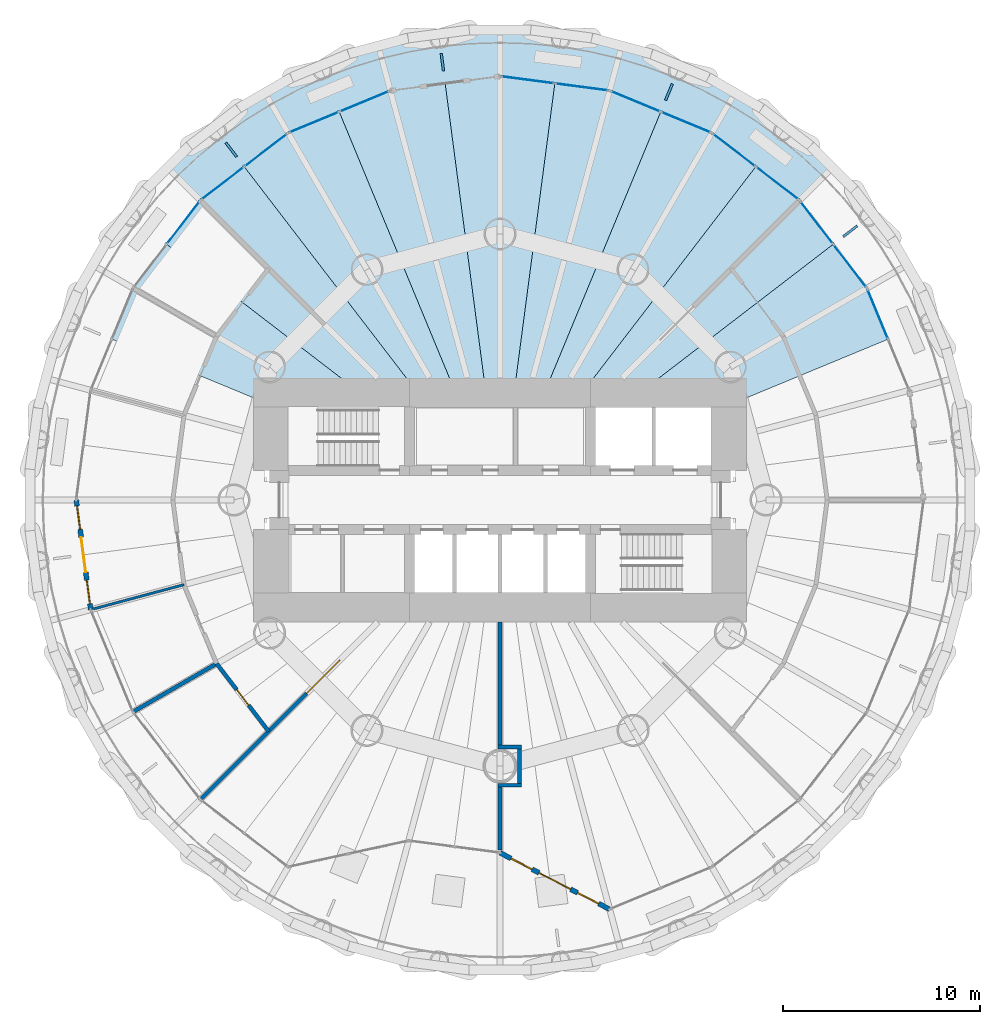
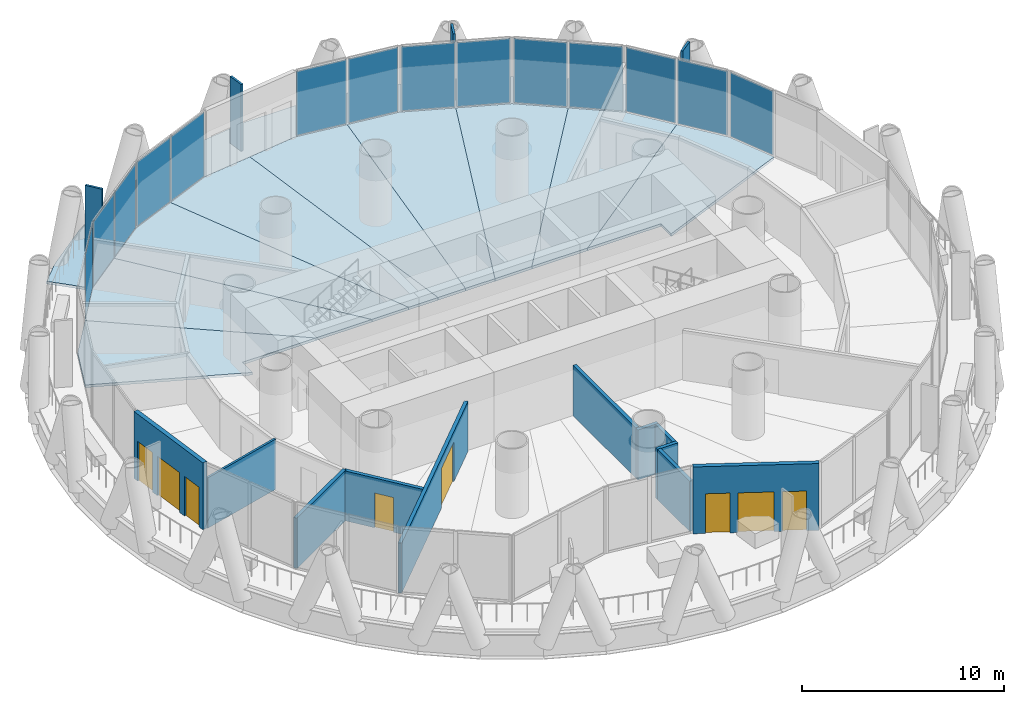
# One storey, part 9 of 15: 18 plates, 11 walls, 10 slabs, 4 doors, 4 windows, 8 openings, 8 elements without a shape of their own.
"""IFC4 building model written with IfcOpenShell, lengths in metres."""

from ifc_helpers import new_model, si_unit, direction, frame, frame_2d, origin, origin_2d, place, context, subcontext, project, spatial, polyline, rectangle, outline, extrude, material, layer, layer_set, type_object, element, fill, aggregate, save


model = new_model("IFC4")

# Units and contexts
model_context = context("Model", 3, precision=1e-05, world=origin(), true_north=direction((0.0, 1.0)))
body_context = subcontext(model_context, "Body", "Model", "MODEL_VIEW")
ifc_project = project(units=[si_unit("LENGTHUNIT", "METRE"), si_unit("AREAUNIT", "SQUARE_METRE"), si_unit("VOLUMEUNIT", "CUBIC_METRE"), si_unit("PLANEANGLEUNIT", "RADIAN"), si_unit("MASSUNIT", "GRAM", prefix="KILO")], contexts=[model_context])

# Site, building, storey
site_placement = place(None, origin())
site = spatial("IfcSite", under=ifc_project, at=site_placement, CompositionType="ELEMENT")
building_placement = place(site_placement, origin())
building = spatial("IfcBuilding", under=site, at=building_placement, Name="Qaws Media Tower", CompositionType="ELEMENT")
storey_placement = place(building_placement, frame((0.0, 0.0, 198.199951171875)))
storey = spatial("IfcBuildingStorey", under=building, at=storey_placement, Name="L45", CompositionType="ELEMENT", Elevation=198.199951171875)

# Slabs
ifc_material_1 = material(Name="Concrete C35/45", Category="concrete")
ifc_layer_1 = layer(ifc_material_1, 0.159912109375)
ifc_layer_set_1 = layer_set([ifc_layer_1], Name="Composite balcony slab 160")
slab_type_1 = type_object("IfcSlabType", Name="Composite balcony slab 160", PredefinedType="FLOOR", material=ifc_layer_set_1)
slab_1_placement = place(storey_placement, frame((0.0, 0.0, -0.159912109375)))
element("IfcSlab", 1, at=slab_1_placement, inside=storey, type_object=slab_type_1, Name="S2 balcony slab L45 R04 to R10, movement joints on R04 and R10", PredefinedType="FLOOR", context=body_context, shape_type="SweptSolid", body=[
    extrude(outline(polyline([(44.24169921875, 67.968994140625), (46.721923828125, 69.8720703125), (49.42919921875, 71.435302734375), (52.317626953125, 72.631591796875), (55.33740234375, 73.44091796875), (58.43701171875, 73.848876953125), (61.56298828125, 73.848876953125), (64.66259765625, 73.44091796875), (67.682373046875, 72.631591796875), (70.57080078125, 71.435302734375), (73.278076171875, 69.8720703125), (75.75830078125, 67.968994140625), (76.86376953125, 66.86376953125), (75.202880859375, 65.202880859375), (70.75, 68.619384765625), (65.564697265625, 70.767333984375), (60.0, 71.5), (54.435302734375, 70.767333984375), (49.25, 68.619384765625), (44.797119140625, 65.202880859375), (43.13623046875, 66.86376953125), (44.24169921875, 67.968994140625)])), origin(), (0.0, 0.0, 1.0), 0.159912109375),
])
ifc_material_2 = material(Name="Concrete C35/45", Category="concrete")
ifc_layer_2 = layer(ifc_material_2, 0.159912109375)
ifc_layer_set_2 = layer_set([ifc_layer_2], Name="Composite floor slab 160")
slab_type_2 = type_object("IfcSlabType", Name="Composite floor slab 160", PredefinedType="FLOOR", material=ifc_layer_set_2)
slab_2_placement = place(storey_placement, frame((0.0, 0.0, -0.159912109375)))
element("IfcSlab", 2, at=slab_2_placement, inside=storey, type_object=slab_type_2, Name="S1 floor panel L45 on R03", PredefinedType="FLOOR", context=body_context, shape_type="SweptSolid", body=[
    extrude(outline(polyline([(78.619384765625, 60.75), (79.693603515625, 58.1572265625), (71.9599609375, 54.9541015625), (71.9599609375, 55.9599609375), (67.76708984375, 55.9599609375), (76.9111328125, 62.976318359375), (78.619384765625, 60.75)])), origin(), (0.0, 0.0, 1.0), 0.159912109375),
])
slab_3_placement = place(storey_placement, frame((0.0, 0.0, -0.159912109375)))
element("IfcSlab", 3, at=slab_3_placement, inside=storey, type_object=slab_type_2, Name="S1 floor panel L45 on R04", PredefinedType="FLOOR", context=body_context, shape_type="SweptSolid", body=[
    extrude(outline(polyline([(75.202880859375, 65.202880859375), (76.9111328125, 62.976318359375), (67.76708984375, 55.9599609375), (64.5732421875, 55.9599609375), (72.976318359375, 66.9111328125), (75.202880859375, 65.202880859375)])), origin(), (0.0, 0.0, 1.0), 0.159912109375),
])
slab_4_placement = place(storey_placement, frame((0.0, 0.0, -0.159912109375)))
element("IfcSlab", 4, at=slab_4_placement, inside=storey, type_object=slab_type_2, Name="S1 floor panel L45 on R05", PredefinedType="FLOOR", context=body_context, shape_type="SweptSolid", body=[
    extrude(outline(polyline([(70.75, 68.619384765625), (72.976318359375, 66.9111328125), (64.5732421875, 55.9599609375), (62.46875, 55.9599609375), (68.1572265625, 69.693603515625), (70.75, 68.619384765625)])), origin(), (0.0, 0.0, 1.0), 0.159912109375),
])
slab_5_placement = place(storey_placement, frame((0.0, 0.0, -0.159912109375)))
element("IfcSlab", 5, at=slab_5_placement, inside=storey, type_object=slab_type_2, Name="S1 floor panel L45 on R06", PredefinedType="FLOOR", context=body_context, shape_type="SweptSolid", body=[
    extrude(outline(polyline([(65.564697265625, 70.767333984375), (68.1572265625, 69.693603515625), (62.46875, 55.9599609375), (60.78466796875, 55.9599609375), (62.7822265625, 71.1337890625), (65.564697265625, 70.767333984375)])), origin(), (0.0, 0.0, 1.0), 0.159912109375),
])
slab_6_placement = place(storey_placement, frame((0.0, 0.0, -0.159912109375)))
element("IfcSlab", 6, at=slab_6_placement, inside=storey, type_object=slab_type_2, Name="S1 floor panel L45 on R07", PredefinedType="FLOOR", context=body_context, shape_type="SweptSolid", body=[
    extrude(outline(polyline([(60.0, 71.5), (62.7822265625, 71.1337890625), (60.78466796875, 55.9599609375), (59.21533203125, 55.9599609375), (57.2177734375, 71.1337890625), (60.0, 71.5)])), origin(), (0.0, 0.0, 1.0), 0.159912109375),
])
slab_7_placement = place(storey_placement, frame((0.0, 0.0, -0.159912109375)))
element("IfcSlab", 7, at=slab_7_placement, inside=storey, type_object=slab_type_2, Name="S1 floor panel L45 on R08", PredefinedType="FLOOR", context=body_context, shape_type="SweptSolid", body=[
    extrude(outline(polyline([(54.435302734375, 70.767333984375), (57.2177734375, 71.1337890625), (59.21533203125, 55.9599609375), (57.53125, 55.9599609375), (51.8427734375, 69.693603515625), (54.435302734375, 70.767333984375)])), origin(), (0.0, 0.0, 1.0), 0.159912109375),
])
slab_8_placement = place(storey_placement, frame((0.0, 0.0, -0.159912109375)))
element("IfcSlab", 8, at=slab_8_placement, inside=storey, type_object=slab_type_2, Name="S1 floor panel L45 on R09", PredefinedType="FLOOR", context=body_context, shape_type="SweptSolid", body=[
    extrude(outline(polyline([(49.25, 68.619384765625), (51.8427734375, 69.693603515625), (57.53125, 55.9599609375), (55.4267578125, 55.9599609375), (47.023681640625, 66.9111328125), (49.25, 68.619384765625)])), origin(), (0.0, 0.0, 1.0), 0.159912109375),
])
slab_9_placement = place(storey_placement, frame((0.0, 0.0, -0.159912109375)))
element("IfcSlab", 9, at=slab_9_placement, inside=storey, type_object=slab_type_2, Name="S1 floor panel L45 on R10", PredefinedType="FLOOR", context=body_context, shape_type="SweptSolid", body=[
    extrude(outline(polyline([(44.797119140625, 65.202880859375), (47.023681640625, 66.9111328125), (55.4267578125, 55.9599609375), (52.23291015625, 55.9599609375), (43.0888671875, 62.976318359375), (44.797119140625, 65.202880859375)])), origin(), (0.0, 0.0, 1.0), 0.159912109375),
])
slab_10_placement = place(storey_placement, frame((0.0, 0.0, -0.159912109375)))
element("IfcSlab", 10, at=slab_10_placement, inside=storey, type_object=slab_type_2, Name="S1 floor panel L45 on R11", PredefinedType="FLOOR", context=body_context, shape_type="SweptSolid", body=[
    extrude(outline(polyline([(41.380615234375, 60.75), (43.0888671875, 62.976318359375), (52.23291015625, 55.9599609375), (48.0400390625, 55.9599609375), (48.0400390625, 54.9541015625), (40.306396484375, 58.1572265625), (41.380615234375, 60.75)])), origin(), (0.0, 0.0, 1.0), 0.159912109375),
])

# Curtain wall, plate
ifc_material_3 = material(Name="Aluminium and clear glass", Category="aluminium")
curtain_wall_type = type_object("IfcCurtainWallType", Name="Unitised curtain wall CW-C", PredefinedType="NOTDEFINED", material=ifc_material_3)
curtain_wall_1_placement = place(storey_placement, origin())
curtain_wall_1 = element("IfcCurtainWall", 11, at=curtain_wall_1_placement, inside=storey, type_object=curtain_wall_type, Name="CWC curtain wall L45-02", PredefinedType="NOTDEFINED")
ifc_material_4 = material(Name="Clear laminated double glazing", Category="glass")
ifc_layer_3 = layer(ifc_material_4, 0.031982421875)
ifc_layer_set_3 = layer_set([ifc_layer_3], Name="Curtain wall glass unit 32")
plate_type_1 = type_object("IfcPlateType", Name="Curtain wall glass unit 32", PredefinedType="CURTAIN_PANEL", material=ifc_layer_set_3)
plate_1_placement = place(storey_placement, frame((79.1640625, 59.43505859375, 0.080078125), z_axis=(0.0, 0.0, 1.0), x_axis=(-0.382683390022, 0.923879550051, 0.0)))
plate_1 = element("IfcPlate", 12, at=plate_1_placement, type_object=plate_type_1, Name="CWC panel 2.1", PredefinedType="CURTAIN_PANEL", context=body_context, shape_type="SweptSolid", body=[
    extrude(rectangle(XDim=2.686279296875, YDim=0.031982421875, at=origin_2d()), origin(), (0.0, 0.0, 1.0), 3.8798828125),
])
aggregate(curtain_wall_1, [plate_1])

# Curtain wall, plates
curtain_wall_2_placement = place(storey_placement, origin())
curtain_wall_2 = element("IfcCurtainWall", 13, at=curtain_wall_2_placement, inside=storey, type_object=curtain_wall_type, Name="CWC curtain wall L45-03", PredefinedType="NOTDEFINED")
plate_2_placement = place(storey_placement, frame((77.753173828125, 61.879150390625, 0.080078125), z_axis=(0.0, 0.0, 1.0), x_axis=(-0.608761368139, 0.793353386998, 0.0)))
plate_2 = element("IfcPlate", 14, at=plate_2_placement, type_object=plate_type_1, Name="CWC panel 1.1", PredefinedType="CURTAIN_PANEL", context=body_context, shape_type="SweptSolid", body=[
    extrude(rectangle(XDim=2.686279296875, YDim=0.031982421875, at=origin_2d()), origin(), (0.0, 0.0, 1.0), 3.8798828125),
])
plate_3_placement = place(storey_placement, frame((76.069091796875, 64.07373046875, 0.080078125), z_axis=(0.0, 0.0, 1.0), x_axis=(-0.608761368139, 0.793353386998, 0.0)))
plate_3 = element("IfcPlate", 15, at=plate_3_placement, type_object=plate_type_1, Name="CWC panel 2.1", PredefinedType="CURTAIN_PANEL", context=body_context, shape_type="SweptSolid", body=[
    extrude(rectangle(XDim=2.686279296875, YDim=0.031982421875, at=origin_2d()), origin(), (0.0, 0.0, 1.0), 3.8798828125),
])
aggregate(curtain_wall_2, [plate_2, plate_3])

curtain_wall_3_placement = place(storey_placement, origin())
curtain_wall_3 = element("IfcCurtainWall", 16, at=curtain_wall_3_placement, inside=storey, type_object=curtain_wall_type, Name="CWC curtain wall L45-04", PredefinedType="NOTDEFINED")
plate_4_placement = place(storey_placement, frame((74.07373046875, 66.069091796875, 0.080078125), z_axis=(0.0, 0.0, 1.0), x_axis=(-0.793353386998, 0.608761368139, 0.0)))
plate_4 = element("IfcPlate", 17, at=plate_4_placement, type_object=plate_type_1, Name="CWC panel 1.1", PredefinedType="CURTAIN_PANEL", context=body_context, shape_type="SweptSolid", body=[
    extrude(rectangle(XDim=2.686279296875, YDim=0.031982421875, at=origin_2d()), origin(), (0.0, 0.0, 1.0), 3.8798828125),
])
plate_5_placement = place(storey_placement, frame((71.879150390625, 67.753173828125, 0.080078125), z_axis=(0.0, 0.0, 1.0), x_axis=(-0.793353386998, 0.608761368139, 0.0)))
plate_5 = element("IfcPlate", 18, at=plate_5_placement, type_object=plate_type_1, Name="CWC panel 2.1", PredefinedType="CURTAIN_PANEL", context=body_context, shape_type="SweptSolid", body=[
    extrude(rectangle(XDim=2.686279296875, YDim=0.031982421875, at=origin_2d()), origin(), (0.0, 0.0, 1.0), 3.8798828125),
])
aggregate(curtain_wall_3, [plate_4, plate_5])

curtain_wall_4_placement = place(storey_placement, origin())
curtain_wall_4 = element("IfcCurtainWall", 19, at=curtain_wall_4_placement, inside=storey, type_object=curtain_wall_type, Name="CWC curtain wall L45-05", PredefinedType="NOTDEFINED")
plate_6_placement = place(storey_placement, frame((69.43505859375, 69.1640625, 0.080078125), z_axis=(0.0, 0.0, 1.0), x_axis=(-0.923879550051, 0.382683390022, 0.0)))
plate_6 = element("IfcPlate", 20, at=plate_6_placement, type_object=plate_type_1, Name="CWC panel 1.1", PredefinedType="CURTAIN_PANEL", context=body_context, shape_type="SweptSolid", body=[
    extrude(rectangle(XDim=2.686279296875, YDim=0.031982421875, at=origin_2d()), origin(), (0.0, 0.0, 1.0), 3.8798828125),
])
plate_7_placement = place(storey_placement, frame((66.87939453125, 70.222900390625, 0.080078125), z_axis=(0.0, 0.0, 1.0), x_axis=(-0.923879550051, 0.382683390022, 0.0)))
plate_7 = element("IfcPlate", 21, at=plate_7_placement, type_object=plate_type_1, Name="CWC panel 2.1", PredefinedType="CURTAIN_PANEL", context=body_context, shape_type="SweptSolid", body=[
    extrude(rectangle(XDim=2.686279296875, YDim=0.031982421875, at=origin_2d()), origin(), (0.0, 0.0, 1.0), 3.8798828125),
])
aggregate(curtain_wall_4, [plate_6, plate_7])

curtain_wall_5_placement = place(storey_placement, origin())
curtain_wall_5 = element("IfcCurtainWall", 22, at=curtain_wall_5_placement, inside=storey, type_object=curtain_wall_type, Name="CWC curtain wall L45-06", PredefinedType="NOTDEFINED")
plate_8_placement = place(storey_placement, frame((64.153564453125, 70.953125, 0.080078125), z_axis=(0.0, 0.0, 1.0), x_axis=(-0.991444853833, 0.130526249496, 0.0)))
plate_8 = element("IfcPlate", 23, at=plate_8_placement, type_object=plate_type_1, Name="CWC panel 1.1", PredefinedType="CURTAIN_PANEL", context=body_context, shape_type="SweptSolid", body=[
    extrude(rectangle(XDim=2.686279296875, YDim=0.031982421875, at=origin_2d()), origin(), (0.0, 0.0, 1.0), 3.8798828125),
])
plate_9_placement = place(storey_placement, frame((61.410888671875, 71.314208984375, 0.080078125), z_axis=(0.0, 0.0, 1.0), x_axis=(-0.991444853833, 0.130526249496, 0.0)))
plate_9 = element("IfcPlate", 24, at=plate_9_placement, type_object=plate_type_1, Name="CWC panel 2.1", PredefinedType="CURTAIN_PANEL", context=body_context, shape_type="SweptSolid", body=[
    extrude(rectangle(XDim=2.686279296875, YDim=0.031982421875, at=origin_2d()), origin(), (0.0, 0.0, 1.0), 3.8798828125),
])
aggregate(curtain_wall_5, [plate_8, plate_9])

curtain_wall_6_placement = place(storey_placement, origin())
curtain_wall_6 = element("IfcCurtainWall", 25, at=curtain_wall_6_placement, inside=storey, type_object=curtain_wall_type, Name="CWC curtain wall L45-08", PredefinedType="NOTDEFINED")
plate_10_placement = place(storey_placement, frame((53.12060546875, 70.222900390625, 0.080078125), z_axis=(0.0, 0.0, 1.0), x_axis=(-0.923879550051, -0.382683390022, 0.0)))
plate_10 = element("IfcPlate", 26, at=plate_10_placement, type_object=plate_type_1, Name="CWC panel 1.1", PredefinedType="CURTAIN_PANEL", context=body_context, shape_type="SweptSolid", body=[
    extrude(rectangle(XDim=2.686279296875, YDim=0.031982421875, at=origin_2d()), origin(), (0.0, 0.0, 1.0), 3.8798828125),
])
plate_11_placement = place(storey_placement, frame((50.56494140625, 69.1640625, 0.080078125), z_axis=(0.0, 0.0, 1.0), x_axis=(-0.923879550051, -0.382683390022, 0.0)))
plate_11 = element("IfcPlate", 27, at=plate_11_placement, type_object=plate_type_1, Name="CWC panel 2.1", PredefinedType="CURTAIN_PANEL", context=body_context, shape_type="SweptSolid", body=[
    extrude(rectangle(XDim=2.686279296875, YDim=0.031982421875, at=origin_2d()), origin(), (0.0, 0.0, 1.0), 3.8798828125),
])
aggregate(curtain_wall_6, [plate_10, plate_11])

curtain_wall_7_placement = place(storey_placement, origin())
curtain_wall_7 = element("IfcCurtainWall", 28, at=curtain_wall_7_placement, inside=storey, type_object=curtain_wall_type, Name="CWC curtain wall L45-09", PredefinedType="NOTDEFINED")
plate_12_placement = place(storey_placement, frame((48.120849609375, 67.753173828125, 0.080078125), z_axis=(0.0, 0.0, 1.0), x_axis=(-0.793353386998, -0.608761368139, 0.0)))
plate_12 = element("IfcPlate", 29, at=plate_12_placement, type_object=plate_type_1, Name="CWC panel 1.1", PredefinedType="CURTAIN_PANEL", context=body_context, shape_type="SweptSolid", body=[
    extrude(rectangle(XDim=2.686279296875, YDim=0.031982421875, at=origin_2d()), origin(), (0.0, 0.0, 1.0), 3.8798828125),
])
plate_13_placement = place(storey_placement, frame((45.92626953125, 66.069091796875, 0.080078125), z_axis=(0.0, 0.0, 1.0), x_axis=(-0.793353386998, -0.608761368139, 0.0)))
plate_13 = element("IfcPlate", 30, at=plate_13_placement, type_object=plate_type_1, Name="CWC panel 2.1", PredefinedType="CURTAIN_PANEL", context=body_context, shape_type="SweptSolid", body=[
    extrude(rectangle(XDim=2.686279296875, YDim=0.031982421875, at=origin_2d()), origin(), (0.0, 0.0, 1.0), 3.8798828125),
])
aggregate(curtain_wall_7, [plate_12, plate_13])

# Curtain wall, plate
curtain_wall_8_placement = place(storey_placement, origin())
curtain_wall_8 = element("IfcCurtainWall", 31, at=curtain_wall_8_placement, inside=storey, type_object=curtain_wall_type, Name="CWC curtain wall L45-10", PredefinedType="NOTDEFINED")
plate_14_placement = place(storey_placement, frame((43.930908203125, 64.07373046875, 0.080078125), z_axis=(0.0, 0.0, 1.0), x_axis=(-0.608761368139, -0.793353386998, 0.0)))
plate_14 = element("IfcPlate", 32, at=plate_14_placement, type_object=plate_type_1, Name="CWC panel 1.1", PredefinedType="CURTAIN_PANEL", context=body_context, shape_type="SweptSolid", body=[
    extrude(rectangle(XDim=2.686279296875, YDim=0.031982421875, at=origin_2d()), origin(), (0.0, 0.0, 1.0), 3.8798828125),
])
aggregate(curtain_wall_8, [plate_14])

# Plates
ifc_material_5 = material(Name="Precast concrete screen fin", Category="concrete")
ifc_layer_4 = layer(ifc_material_5, 0.1201171875)
ifc_layer_set_4 = layer_set([ifc_layer_4], Name="Screen fin 120x900")
plate_type_2 = type_object("IfcPlateType", Name="Screen fin 120x900", PredefinedType="USERDEFINED", material=ifc_layer_set_4)
for number, where, z_axis, x_axis, name in (
    (33, (77.77099609375, 63.63623046875, 0.0), (0.0, 0.0, 1.0), (0.793353340291, 0.608761429009, 0.0), "SCR1 screen fin L45-02"),
    (34, (68.572021484375, 70.69482421875, 0.0), (0.0, 0.0, 1.0), (0.382683432365, 0.923879532511, 0.0), "SCR1 screen fin L45-03"),
    (35, (57.076171875, 72.208251953125, 0.0), (0.0, 0.0, 1.0), (-0.13052619222, 0.991444861374, 0.0), "SCR1 screen fin L45-04"),
    (36, (46.36376953125, 67.77099609375, 0.0), (0.0, 0.0, 1.0), (-0.608761429009, 0.793353340291, 0.0), "SCR1 screen fin L45-05"),
):
    element("IfcPlate", number, at=place(storey_placement, frame(where, z_axis=z_axis, x_axis=x_axis)), inside=storey, type_object=plate_type_2, Name=name, ObjectType="SCREEN", PredefinedType="USERDEFINED", context=body_context, shape_type="SweptSolid", body=[
        extrude(rectangle(XDim=0.89990234375, YDim=0.1201171875, at=origin_2d()), origin(), (0.0, 0.0, 1.0), 4.0400390625),
    ])

# Wall, openings, door, windows
ifc_material_6 = material(Name="Precast concrete, exposed finish", Category="concrete")
ifc_layer_5 = layer(ifc_material_6, 0.25)
ifc_layer_set_5 = layer_set([ifc_layer_5], Name="Balcony door wall 250")
wall_type_1 = type_object("IfcWallType", Name="Balcony door wall 250", PredefinedType="SOLIDWALL", material=ifc_layer_set_5)
wall_1_placement = place(storey_placement, frame((38.5, 50.0, 0.0), z_axis=(0.0, 0.0, 1.0), x_axis=(0.130536651449, -0.991443484334, 0.0)))
wall_1 = element("IfcWall", 37, at=wall_1_placement, inside=storey, type_object=wall_type_1, Name="W117 EW1 balcony door wall L45-13", PredefinedType="SOLIDWALL", context=body_context, shape_type="SweptSolid", body=[
    extrude(rectangle(XDim=5.61279296875, YDim=0.25, at=frame_2d((2.806396484375, 0.0))), origin(), (0.0, 0.0, 1.0), 4.0400390625),
])
opening_1_placement = place(wall_1_placement, frame((1.90625, 0.0, 0.0)))
opening_1 = element("IfcOpeningElement", 38, at=opening_1_placement, cuts=wall_1, Name="Opening D7", PredefinedType="OPENING", context=body_context, shape_type="SweptSolid", body=[
    extrude(rectangle(XDim=1.800048828125, YDim=2.39990234375, at=frame_2d((0.89990234375, 1.199951171875))), frame((0.0, 0.135009765625, 0.0), z_axis=(0.0, -1.0, 0.0), x_axis=(1.0, 0.0, 0.0)), (0.0, 0.0, 1.0), 0.27001953125),
])
opening_2_placement = place(wall_1_placement, frame((0.306396484375, 0.0, 0.0)))
opening_2 = element("IfcOpeningElement", 39, at=opening_2_placement, cuts=wall_1, Name="Opening W1", PredefinedType="OPENING", context=body_context, shape_type="SweptSolid", body=[
    extrude(rectangle(XDim=1.199951171875, YDim=2.39990234375, at=frame_2d((0.60009765625, 1.199951171875))), frame((0.0, 0.135009765625, 0.0), z_axis=(0.0, -1.0, 0.0), x_axis=(1.0, 0.0, 0.0)), (0.0, 0.0, 1.0), 0.27001953125),
])
opening_3_placement = place(wall_1_placement, frame((4.106201171875, 0.0, 0.0)))
opening_3 = element("IfcOpeningElement", 40, at=opening_3_placement, cuts=wall_1, Name="Opening W1", PredefinedType="OPENING", context=body_context, shape_type="SweptSolid", body=[
    extrude(rectangle(XDim=1.199951171875, YDim=2.39990234375, at=frame_2d((0.60009765625, 1.199951171875))), frame((0.0, 0.135009765625, 0.0), z_axis=(0.0, -1.0, 0.0), x_axis=(1.0, 0.0, 0.0)), (0.0, 0.0, 1.0), 0.27001953125),
])
ifc_material_7 = material(Name="Aluminium and clear glass", Category="aluminium")
door_type_1 = type_object("IfcDoorType", Name="Balcony door pair 1800", OperationType="DOUBLE_DOOR_SLIDING", PredefinedType="DOOR", material=ifc_material_7)
door_1_placement = place(opening_1_placement, origin())
door_1 = element("IfcDoor", 41, at=door_1_placement, inside=storey, type_object=door_type_1, Name="D7 balcony door L45-13 in wall W117", OperationType="DOUBLE_DOOR_SLIDING", OverallHeight=2.39990234375, OverallWidth=1.800048828125, PredefinedType="DOOR", context=body_context, shape_type="SweptSolid", body=[
    extrude(rectangle(XDim=1.800048828125, YDim=2.39990234375, at=frame_2d((0.89990234375, 1.199951171875))), frame((0.0, 0.02490234375, 0.0), z_axis=(0.0, -1.0, 0.0), x_axis=(1.0, 0.0, 0.0)), (0.0, 0.0, 1.0), 0.050048828125),
])
fill(opening_1, door_1)
ifc_material_8 = material(Name="Aluminium and clear glass", Category="aluminium")
window_type = type_object("IfcWindowType", Name="Balcony side window 1200", PartitioningType="SINGLE_PANEL", PredefinedType="WINDOW", material=ifc_material_8)
window_1_placement = place(opening_2_placement, origin())
window_1 = element("IfcWindow", 42, at=window_1_placement, inside=storey, type_object=window_type, Name="W1 balcony side light L45-13L", OverallHeight=2.39990234375, OverallWidth=1.199951171875, PartitioningType="SINGLE_PANEL", PredefinedType="WINDOW", context=body_context, shape_type="SweptSolid", body=[
    extrude(rectangle(XDim=1.199951171875, YDim=2.39990234375, at=frame_2d((0.60009765625, 1.199951171875))), frame((0.0, 0.030029296875, 0.0), z_axis=(0.0, -1.0, 0.0), x_axis=(1.0, 0.0, 0.0)), (0.0, 0.0, 1.0), 0.06005859375),
])
fill(opening_2, window_1)
window_2_placement = place(opening_3_placement, origin())
window_2 = element("IfcWindow", 43, at=window_2_placement, inside=storey, type_object=window_type, Name="W1 balcony side light L45-13R", OverallHeight=2.39990234375, OverallWidth=1.199951171875, PartitioningType="SINGLE_PANEL", PredefinedType="WINDOW", context=body_context, shape_type="SweptSolid", body=[
    extrude(rectangle(XDim=1.199951171875, YDim=2.39990234375, at=frame_2d((0.60009765625, 1.199951171875))), frame((0.0, 0.030029296875, 0.0), z_axis=(0.0, -1.0, 0.0), x_axis=(1.0, 0.0, 0.0)), (0.0, 0.0, 1.0), 0.06005859375),
])
fill(opening_3, window_2)

wall_2_placement = place(storey_placement, frame((60.0, 32.10009765625, 0.0), z_axis=(0.0, 0.0, 1.0), x_axis=(0.888924513524, -0.458053718744, 0.0)))
wall_2 = element("IfcWall", 44, at=wall_2_placement, inside=storey, type_object=wall_type_1, Name="W231 EW1 balcony door wall L45-19", PredefinedType="SOLIDWALL", context=body_context, shape_type="SweptSolid", body=[
    extrude(rectangle(XDim=6.260009765625, YDim=0.25, at=frame_2d((3.1298828125, 0.0))), origin(), (0.0, 0.0, 1.0), 4.0400390625),
])
opening_4_placement = place(wall_2_placement, frame((2.22998046875, 0.0, 0.0)))
opening_4 = element("IfcOpeningElement", 45, at=opening_4_placement, cuts=wall_2, Name="Opening D7", PredefinedType="OPENING", context=body_context, shape_type="SweptSolid", body=[
    extrude(rectangle(XDim=1.800048828125, YDim=2.39990234375, at=frame_2d((0.89990234375, 1.199951171875))), frame((0.0, 0.135009765625, 0.0), z_axis=(0.0, -1.0, 0.0), x_axis=(1.0, 0.0, 0.0)), (0.0, 0.0, 1.0), 0.27001953125),
])
opening_5_placement = place(wall_2_placement, frame((0.6298828125, 0.0, 0.0)))
opening_5 = element("IfcOpeningElement", 46, at=opening_5_placement, cuts=wall_2, Name="Opening W1", PredefinedType="OPENING", context=body_context, shape_type="SweptSolid", body=[
    extrude(rectangle(XDim=1.199951171875, YDim=2.39990234375, at=frame_2d((0.60009765625, 1.199951171875))), frame((0.0, 0.135009765625, 0.0), z_axis=(0.0, -1.0, 0.0), x_axis=(1.0, 0.0, 0.0)), (0.0, 0.0, 1.0), 0.27001953125),
])
opening_6_placement = place(wall_2_placement, frame((4.429931640625, 0.0, 0.0)))
opening_6 = element("IfcOpeningElement", 47, at=opening_6_placement, cuts=wall_2, Name="Opening W1", PredefinedType="OPENING", context=body_context, shape_type="SweptSolid", body=[
    extrude(rectangle(XDim=1.199951171875, YDim=2.39990234375, at=frame_2d((0.60009765625, 1.199951171875))), frame((0.0, 0.135009765625, 0.0), z_axis=(0.0, -1.0, 0.0), x_axis=(1.0, 0.0, 0.0)), (0.0, 0.0, 1.0), 0.27001953125),
])
door_2_placement = place(opening_4_placement, origin())
door_2 = element("IfcDoor", 48, at=door_2_placement, inside=storey, type_object=door_type_1, Name="D7 balcony door L45-19 in wall W231", OperationType="DOUBLE_DOOR_SLIDING", OverallHeight=2.39990234375, OverallWidth=1.800048828125, PredefinedType="DOOR", context=body_context, shape_type="SweptSolid", body=[
    extrude(rectangle(XDim=1.800048828125, YDim=2.39990234375, at=frame_2d((0.89990234375, 1.199951171875))), frame((0.0, 0.02490234375, 0.0), z_axis=(0.0, -1.0, 0.0), x_axis=(1.0, 0.0, 0.0)), (0.0, 0.0, 1.0), 0.050048828125),
])
fill(opening_4, door_2)
window_3_placement = place(opening_5_placement, origin())
window_3 = element("IfcWindow", 49, at=window_3_placement, inside=storey, type_object=window_type, Name="W1 balcony side light L45-19L", OverallHeight=2.39990234375, OverallWidth=1.199951171875, PartitioningType="SINGLE_PANEL", PredefinedType="WINDOW", context=body_context, shape_type="SweptSolid", body=[
    extrude(rectangle(XDim=1.199951171875, YDim=2.39990234375, at=frame_2d((0.60009765625, 1.199951171875))), frame((0.0, 0.030029296875, 0.0), z_axis=(0.0, -1.0, 0.0), x_axis=(1.0, 0.0, 0.0)), (0.0, 0.0, 1.0), 0.06005859375),
])
fill(opening_5, window_3)
window_4_placement = place(opening_6_placement, origin())
window_4 = element("IfcWindow", 50, at=window_4_placement, inside=storey, type_object=window_type, Name="W1 balcony side light L45-19R", OverallHeight=2.39990234375, OverallWidth=1.199951171875, PartitioningType="SINGLE_PANEL", PredefinedType="WINDOW", context=body_context, shape_type="SweptSolid", body=[
    extrude(rectangle(XDim=1.199951171875, YDim=2.39990234375, at=frame_2d((0.60009765625, 1.199951171875))), frame((0.0, 0.030029296875, 0.0), z_axis=(0.0, -1.0, 0.0), x_axis=(1.0, 0.0, 0.0)), (0.0, 0.0, 1.0), 0.06005859375),
])
fill(opening_6, window_4)

# Wall
ifc_material_9 = material(Name="Two layers gypsum board each side on 75 studs, insulated", Category="gypsum")
ifc_layer_6 = layer(ifc_material_9, 0.125)
ifc_layer_set_6 = layer_set([ifc_layer_6], Name="Meeting room partition 125 Rw 48")
wall_type_2 = type_object("IfcWallType", Name="Meeting room partition 125 Rw 48", PredefinedType="PARTITIONING", material=ifc_layer_set_6)
wall_3_placement = place(storey_placement, frame((43.965576171875, 45.70361328125, 0.0), z_axis=(0.0, 0.0, 1.0), x_axis=(-0.965926072385, -0.25881812666, 0.0)))
element("IfcWall", 51, at=wall_3_placement, inside=storey, type_object=wall_type_2, Name="W593 IW5 partition L45", PredefinedType="PARTITIONING", context=body_context, shape_type="SweptSolid", body=[
    extrude(rectangle(XDim=4.759765625, YDim=0.125, at=frame_2d((2.3798828125, 0.0))), origin(), (0.0, 0.0, 1.0), 3.0400390625),
])

# Wall, opening, door
ifc_material_10 = material(Name="Gypsum board on galvanised metal studs, acoustic double stud, deflection head", Category="gypsum")
ifc_layer_7 = layer(ifc_material_10, 0.199951171875)
ifc_layer_set_7 = layer_set([ifc_layer_7], Name="Room partition 200")
wall_type_3 = type_object("IfcWallType", Name="Room partition 200", PredefinedType="PARTITIONING", material=ifc_layer_set_7)
wall_4_placement = place(storey_placement, frame((48.261962890625, 38.261962890625, 0.0), z_axis=(0.0, 0.0, 1.0), x_axis=(-0.60874374674, 0.79336690806, 0.0)))
wall_4 = element("IfcWall", 52, at=wall_4_placement, inside=storey, type_object=wall_type_3, Name="W1505 IW3 partition L45", PredefinedType="PARTITIONING", context=body_context, shape_type="SweptSolid", body=[
    extrude(rectangle(XDim=4.33349609375, YDim=0.199951171875, at=frame_2d((2.166748046875, 0.0))), origin(), (0.0, 0.0, 1.0), 3.011962890625),
])
opening_7_placement = place(wall_4_placement, frame((1.666748046875, 0.0, 0.0)))
opening_7 = element("IfcOpeningElement", 53, at=opening_7_placement, cuts=wall_4, Name="Opening D5", PredefinedType="OPENING", context=body_context, shape_type="SweptSolid", body=[
    extrude(rectangle(XDim=1.0, YDim=2.10009765625, at=frame_2d((0.5, 1.050048828125))), frame((0.0, 0.10986328125, 0.0), z_axis=(0.0, -1.0, 0.0), x_axis=(1.0, 0.0, 0.0)), (0.0, 0.0, 1.0), 0.219970703125),
])
ifc_material_11 = material(Name="Timber veneered, acoustic seal", Category="wood")
door_type_2 = type_object("IfcDoorType", Name="Room door 1000", OperationType="SINGLE_SWING_LEFT", PredefinedType="DOOR", material=ifc_material_11)
door_3_placement = place(opening_7_placement, origin())
door_3 = element("IfcDoor", 54, at=door_3_placement, inside=storey, type_object=door_type_2, Name="D5 Ablutions (women) door L45 in wall W1505", OperationType="SINGLE_SWING_LEFT", OverallHeight=2.10009765625, OverallWidth=1.0, PredefinedType="DOOR", context=body_context, shape_type="SweptSolid", body=[
    extrude(rectangle(XDim=1.0, YDim=2.10009765625, at=frame_2d((0.5, 1.050048828125))), frame((0.0, 0.02490234375, 0.0), z_axis=(0.0, -1.0, 0.0), x_axis=(1.0, 0.0, 0.0)), (0.0, 0.0, 1.0), 0.050048828125),
])
fill(opening_7, door_3)

# Wall
wall_5_placement = place(storey_placement, frame((45.6240234375, 41.699951171875, 0.0), z_axis=(0.0, 0.0, 1.0), x_axis=(-0.866036685051, -0.499980459763, 0.0)))
element("IfcWall", 55, at=wall_5_placement, inside=storey, type_object=wall_type_3, Name="W1501 IW3 partition L45", PredefinedType="PARTITIONING", context=body_context, shape_type="SweptSolid", body=[
    extrude(rectangle(XDim=4.860107421875, YDim=0.199951171875, at=frame_2d((2.43017578125, 0.0))), origin(), (0.0, 0.0, 1.0), 3.0400390625),
])

# Wall, opening, door
wall_6_placement = place(storey_placement, frame((53.800048828125, 43.800048828125, 0.0), z_axis=(0.0, 0.0, 1.0), x_axis=(-0.707106781187, -0.707106781187, 0.0)))
wall_6 = element("IfcWall", 56, at=wall_6_placement, inside=storey, type_object=wall_type_3, Name="W1506 IW3 partition L45", PredefinedType="PARTITIONING", context=body_context, shape_type="SweptSolid", body=[
    extrude(rectangle(XDim=12.69189453125, YDim=0.199951171875, at=frame_2d((6.345947265625, 0.0))), origin(), (0.0, 0.0, 1.0), 3.02001953125),
])
opening_8_placement = place(wall_6_placement, frame((2.7158203125, 0.0, 0.0)))
opening_8 = element("IfcOpeningElement", 57, at=opening_8_placement, cuts=wall_6, Name="Opening D17", PredefinedType="OPENING", context=body_context, shape_type="SweptSolid", body=[
    extrude(rectangle(XDim=2.39990234375, YDim=2.39990234375, at=frame_2d((1.199951171875, 1.199951171875))), frame((0.0, 0.10986328125, 0.0), z_axis=(0.0, -1.0, 0.0), x_axis=(1.0, 0.0, 0.0)), (0.0, 0.0, 1.0), 0.219970703125),
])
ifc_material_12 = material(Name="Timber veneered, panic hardware", Category="wood")
door_type_3 = type_object("IfcDoorType", Name="Assembly room door pair 2400x2400", OperationType="DOUBLE_DOOR_DOUBLE_SWING", PredefinedType="DOOR", material=ifc_material_12)
door_4_placement = place(opening_8_placement, origin())
door_4 = element("IfcDoor", 58, at=door_4_placement, inside=storey, type_object=door_type_3, Name="D17 Cafe door L45 in wall W1506", OperationType="DOUBLE_DOOR_DOUBLE_SWING", OverallHeight=2.39990234375, OverallWidth=2.39990234375, PredefinedType="DOOR", context=body_context, shape_type="SweptSolid", body=[
    extrude(rectangle(XDim=2.39990234375, YDim=2.39990234375, at=frame_2d((1.199951171875, 1.199951171875))), frame((0.0, 0.02490234375, 0.0), z_axis=(0.0, -1.0, 0.0), x_axis=(1.0, 0.0, 0.0)), (0.0, 0.0, 1.0), 0.050048828125),
])
fill(opening_8, door_4)

# Walls
for number, where, z_axis, x_axis, name in (
    (59, (59.89990234375, 37.472900390625, 0.0), (0.0, 0.0, 1.0), (1.0, 0.0, 0.0), "W1509 IW3 partition return L45"),
    (60, (59.89990234375, 35.527099609375, 0.0), (0.0, 0.0, 1.0), (1.0, 0.0, 0.0), "W1508 IW3 partition return L45"),
):
    element("IfcWall", number, at=place(storey_placement, frame(where, z_axis=z_axis, x_axis=x_axis)), inside=storey, type_object=wall_type_3, Name=name, PredefinedType="PARTITIONING", context=body_context, shape_type="SweptSolid", body=[
        extrude(rectangle(XDim=1.18310546875, YDim=0.199951171875, at=frame_2d((0.591552734375, 0.0))), origin(), (0.0, 0.0, 1.0), 3.02001953125),
    ])
wall_7_placement = place(storey_placement, frame((60.98291015625, 37.373046875, 0.0), z_axis=(0.0, 0.0, 1.0), x_axis=(0.0, -1.0, 0.0)))
element("IfcWall", 61, at=wall_7_placement, inside=storey, type_object=wall_type_3, Name="W1513 IW3 partition return L45", PredefinedType="PARTITIONING", context=body_context, shape_type="SweptSolid", body=[
    extrude(rectangle(XDim=1.74609375, YDim=0.199951171875, at=frame_2d((0.873046875, 0.0))), origin(), (0.0, 0.0, 1.0), 3.02001953125),
])
wall_8_placement = place(storey_placement, frame((60.0, 43.800048828125, 0.0), z_axis=(0.0, 0.0, 1.0), x_axis=(0.0, -1.0, 0.0)))
element("IfcWall", 62, at=wall_8_placement, inside=storey, type_object=wall_type_3, Name="W1511 IW3 partition L45", PredefinedType="PARTITIONING", context=body_context, shape_type="SweptSolid", body=[
    extrude(rectangle(XDim=6.22705078125, YDim=0.199951171875, at=frame_2d((3.113525390625, 0.0))), origin(), (0.0, 0.0, 1.0), 3.0400390625),
])
wall_9_placement = place(storey_placement, frame((60.0, 35.427001953125, 0.0), z_axis=(0.0, 0.0, 1.0), x_axis=(0.0, -1.0, 0.0)))
element("IfcWall", 63, at=wall_9_placement, inside=storey, type_object=wall_type_3, Name="W1510 IW3 partition L45", PredefinedType="PARTITIONING", context=body_context, shape_type="SweptSolid", body=[
    extrude(rectangle(XDim=3.18701171875, YDim=0.199951171875, at=frame_2d((1.593505859375, 0.0))), origin(), (0.0, 0.0, 1.0), 3.0400390625),
])

save(model, "model.ifc")
